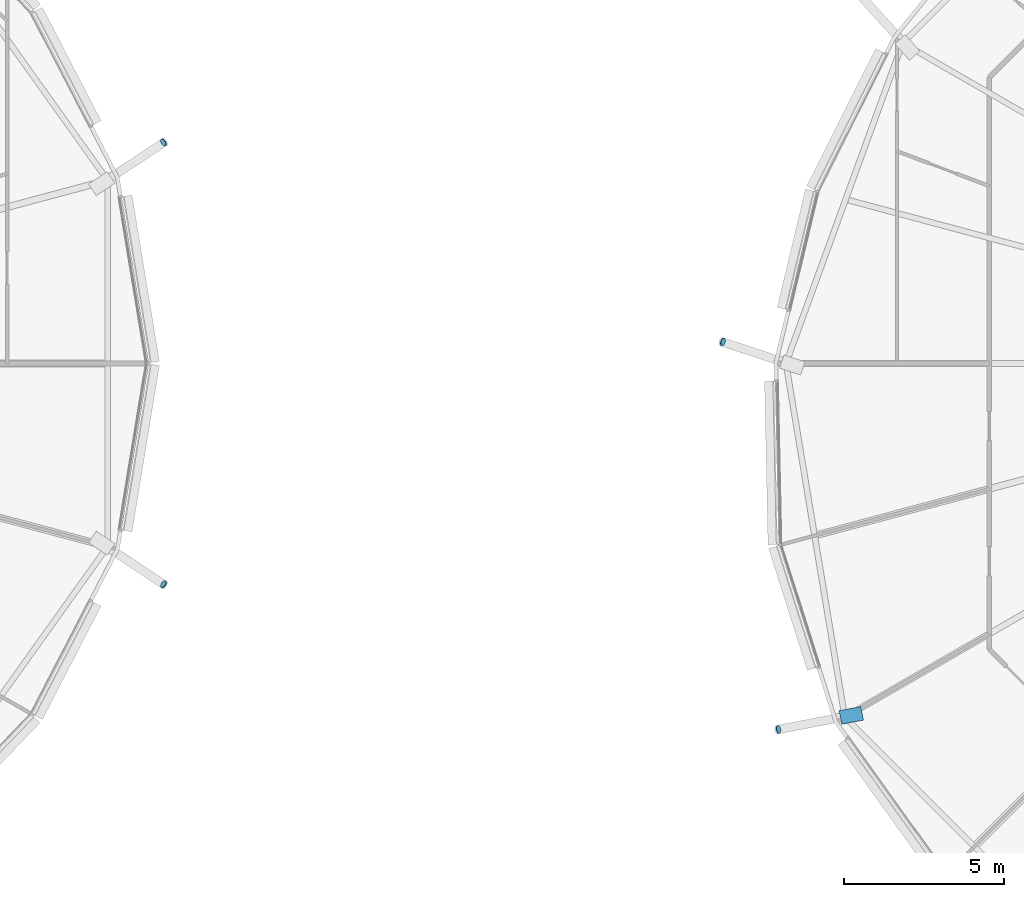
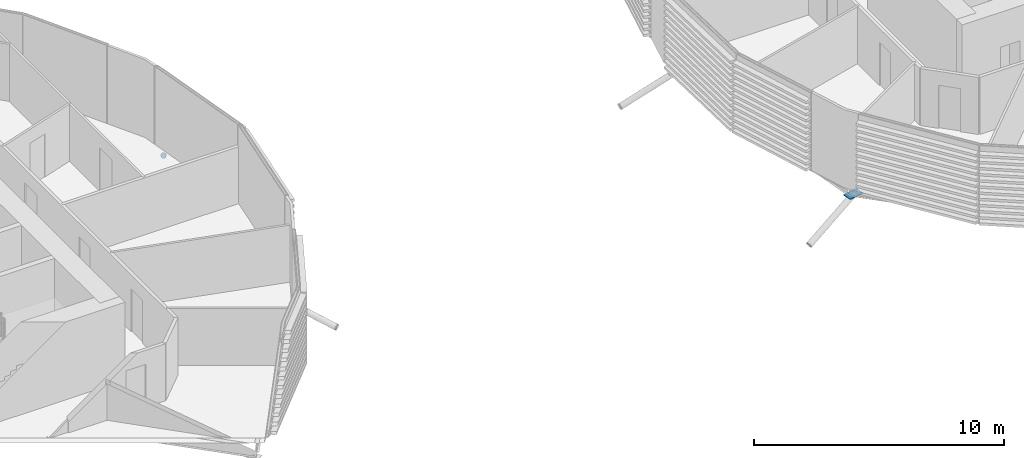
# One storey, part 28 of 37: 5 discrete accessories.
"""IFC4 building model written with IfcOpenShell, lengths in metres."""

from ifc_helpers import new_model, si_unit, direction, frame, origin, origin_2d, place, context, subcontext, project, spatial, polyline, rectangle, circle, outline, extrude, material, material_profile, profile_set, type_object, element, save


model = new_model("IFC4")

# Units and contexts
model_context = context("Model", 3, precision=1e-05, world=origin(), true_north=direction((0.0, 1.0)))
body_context = subcontext(model_context, "Body", "Model", "MODEL_VIEW")
ifc_project = project(units=[si_unit("LENGTHUNIT", "METRE"), si_unit("AREAUNIT", "SQUARE_METRE"), si_unit("VOLUMEUNIT", "CUBIC_METRE"), si_unit("PLANEANGLEUNIT", "RADIAN"), si_unit("MASSUNIT", "GRAM", prefix="KILO")], contexts=[model_context])

# Site, building, storey
site_placement = place(None, origin())
site = spatial("IfcSite", under=ifc_project, at=site_placement, CompositionType="ELEMENT")
building_placement = place(site_placement, origin())
building = spatial("IfcBuilding", under=site, at=building_placement, Name="Rimbun Link Towers", CompositionType="ELEMENT")
storey_placement = place(building_placement, frame((0.0, 0.0, 45.199951171875)))
storey = spatial("IfcBuildingStorey", under=building, at=storey_placement, Name="L10", CompositionType="ELEMENT", Elevation=45.199951171875)

# Discrete accessories
ifc_material_1 = material(Name="Steel S355J2H", Category="steel")
ifc_material_profile_1 = material_profile(ifc_material_1, circle(Radius=0.1240234375, at=origin_2d()), Name="PL D248")
ifc_profile_set_1 = profile_set([ifc_material_profile_1], Name="Steel S355J2H")
discrete_accessory_type_1 = type_object("IfcDiscreteAccessoryType", Name="Link foot sealing plate D248X20", PredefinedType="BRACKET", material=ifc_profile_set_1)
for number, where, z_axis, x_axis, name in (
    (1, (-8.668212890625, 6.892333984375, -2.068359375), (0.717275529789, 0.474131282403, -0.510602919511), (-0.551433013749, 0.834219174646, 0.0), "Link foot sealing plate T1 L10 01"),
    (2, (-8.668212890625, -6.892333984375, -2.068359375), (0.717275529789, -0.474131282403, -0.510602919511), (0.551433013749, 0.834219174646, 0.0), "Link foot sealing plate T1 L10 23"),
):
    element("IfcDiscreteAccessory", number, at=place(storey_placement, frame(where, z_axis=z_axis, x_axis=x_axis)), inside=storey, type_object=discrete_accessory_type_1, Name=name, PredefinedType="BRACKET", context=body_context, shape_type="SweptSolid", body=[
        extrude(circle(Radius=0.1240234375, at=origin_2d()), origin(), (0.0, 0.0, 1.0), 0.02001953125),
    ])
discrete_accessory_1_placement = place(storey_placement, frame((8.812255859375, 0.6630859375, -2.014404296875), z_axis=(-0.811183195393, 0.266358661174, -0.520610110476), x_axis=(-0.311970444134, -0.950091807136, 0.0)))
element("IfcDiscreteAccessory", 3, at=discrete_accessory_1_placement, inside=storey, type_object=discrete_accessory_type_1, Name="Link foot sealing plate T2 L10 09", PredefinedType="BRACKET", context=body_context, shape_type="SweptSolid", body=[
    extrude(circle(Radius=0.1240234375, at=origin_2d()), origin(), (0.0, 0.0, 1.0), 0.020263671875),
])
discrete_accessory_2_placement = place(storey_placement, frame((10.548583984375, -11.430419921875, -2.021240234375), z_axis=(-0.843346868639, -0.158891439019, -0.513341572215), x_axis=(0.185148369866, -0.98271057852, 0.0)))
element("IfcDiscreteAccessory", 4, at=discrete_accessory_2_placement, inside=storey, type_object=discrete_accessory_type_1, Name="Link foot sealing plate T2 L10 11", PredefinedType="BRACKET", context=body_context, shape_type="SweptSolid", body=[
    extrude(circle(Radius=0.1240234375, at=origin_2d()), origin(), (0.0, 0.0, 1.0), 0.02001953125),
])
ifc_material_2 = material(Name="Steel S355J2H", Category="steel")
ifc_material_profile_2 = material_profile(ifc_material_2, rectangle(XDim=0.43310546875, YDim=0.43310546875, at=origin_2d()), Name="PL 433x433")
ifc_profile_set_2 = profile_set([ifc_material_profile_2], Name="Steel S355J2H")
discrete_accessory_type_2 = type_object("IfcDiscreteAccessoryType", Name="Link head end plate 433X20", PredefinedType="BRACKET", material=ifc_profile_set_2)
discrete_accessory_3_placement = place(storey_placement, frame((0.0, 0.0, -0.63330078125)))
element("IfcDiscreteAccessory", 5, at=discrete_accessory_3_placement, inside=storey, type_object=discrete_accessory_type_2, Name="Link head end plate T2 L10 11", PredefinedType="BRACKET", context=body_context, shape_type="SweptSolid", body=[
    extrude(outline(polyline([(13.11279296875, -10.714599609375), (12.435546875, -10.845458984375), (12.517578125, -11.2705078125), (13.195068359375, -11.139892578125), (13.11279296875, -10.714599609375)])), origin(), (0.0, 0.0, 1.0), 0.02001953125),
])

save(model, "model.ifc")
